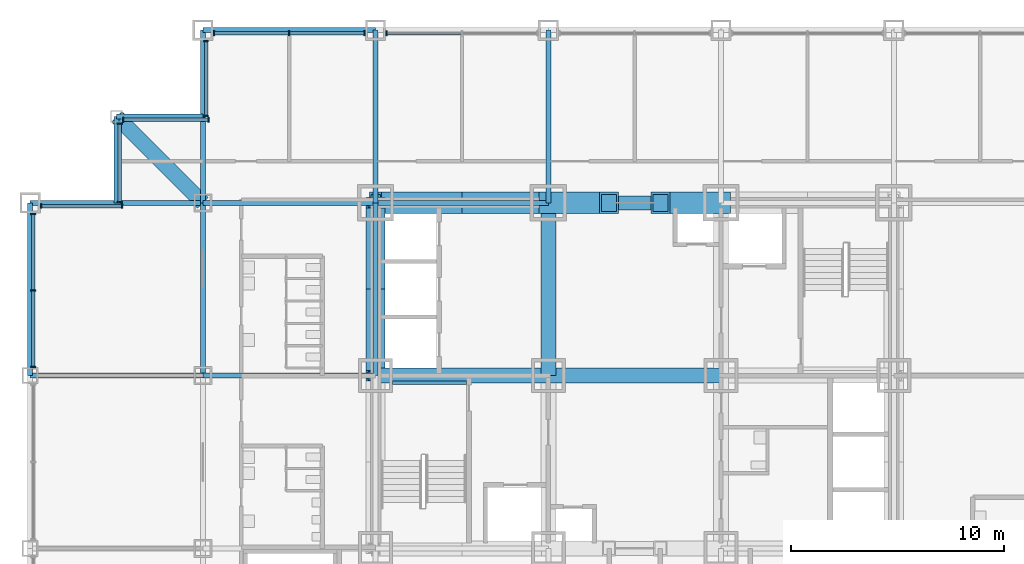
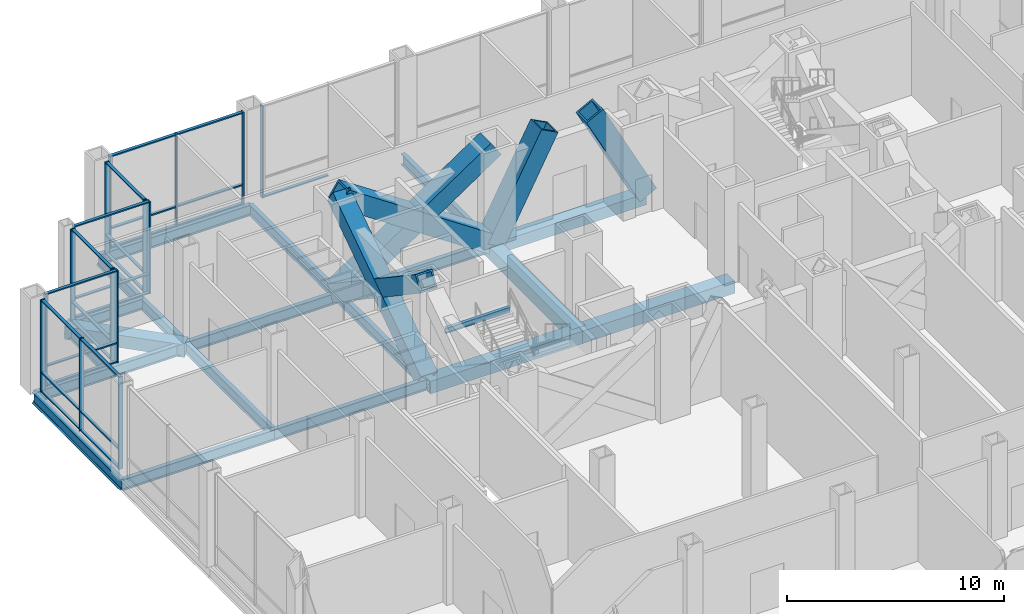
# One storey, part 7 of 18: 46 members, 20 beams, 7 elements without a shape of their own.
"""IFC4 building model written with IfcOpenShell, lengths in metres."""

from ifc_helpers import new_model, si_unit, direction, frame, origin, origin_2d, place, context, subcontext, project, spatial, rectangle, hollow_rectangle, i_section, extrude, material, material_profile, profile_set, type_object, element, aggregate, save


model = new_model("IFC4")

# Units and contexts
model_context = context("Model", 3, precision=1e-05, world=origin(), true_north=direction((0.0, 1.0)))
body_context = subcontext(model_context, "Body", "Model", "MODEL_VIEW")
ifc_project = project(units=[si_unit("LENGTHUNIT", "METRE"), si_unit("AREAUNIT", "SQUARE_METRE"), si_unit("VOLUMEUNIT", "CUBIC_METRE"), si_unit("PLANEANGLEUNIT", "RADIAN"), si_unit("MASSUNIT", "GRAM", prefix="KILO")], contexts=[model_context])

# Site, building, storey
site_placement = place(None, origin())
site = spatial("IfcSite", under=ifc_project, at=site_placement, CompositionType="ELEMENT")
building_placement = place(site_placement, origin())
building = spatial("IfcBuilding", under=site, at=building_placement, Name="Kopane Lantern Tower", CompositionType="ELEMENT")
storey_placement = place(building_placement, frame((0.0, 0.0, 22.199951171875)))
storey = spatial("IfcBuildingStorey", under=building, at=storey_placement, Name="L04", CompositionType="ELEMENT", Elevation=22.199951171875)

# Members
ifc_material_1 = material(Name="Steel S355JR", Category="steel")
ifc_material_profile_1 = material_profile(ifc_material_1, hollow_rectangle(XDim=1.0, YDim=1.0, WallThickness=0.10009765625, at=origin_2d()), Name="BOX 1000x1000x100")
ifc_profile_set_1 = profile_set([ifc_material_profile_1], Name="Steel S355JR")
member_type_1 = type_object("IfcMemberType", Name="BRACE BOX 1000x1000x100", PredefinedType="BRACE", material=ifc_profile_set_1)
for number, where, z_axis, x_axis, name in (
    (1, (16.199951171875, 40.5, -0.25), (0.830159256911, 0.0, 0.557526329571), (0.0, 1.0, 0.0), "Core brace L04"),
    (2, (24.300048828125, 40.5, -0.25), (-0.830159256911, 0.0, 0.557526329571), (0.0, -1.0, 0.0), "Core brace L04"),
):
    element("IfcMember", number, at=place(storey_placement, frame(where, z_axis=z_axis, x_axis=x_axis)), inside=storey, type_object=member_type_1, Name=name, PredefinedType="BRACE", context=body_context, shape_type="SweptSolid", body=[
        extrude(hollow_rectangle(XDim=1.0, YDim=1.0, WallThickness=0.10009765625, at=origin_2d()), origin(), (0.0, 0.0, 1.0), 9.75732421875),
    ])
for number, where, z_axis, x_axis, name in (
    (3, (24.300048828125, 40.5, -0.25), (0.464053044063, 0.0, 0.885807412645), (0.0, 1.0, 0.0), "Core brace L04"),
    (4, (32.39990234375, 40.5, -0.25), (-0.464053044063, 0.0, 0.885807412645), (0.0, -1.0, 0.0), "Core brace L04"),
):
    element("IfcMember", number, at=place(storey_placement, frame(where, z_axis=z_axis, x_axis=x_axis)), inside=storey, type_object=member_type_1, Name=name, PredefinedType="BRACE", context=body_context, shape_type="SweptSolid", body=[
        extrude(hollow_rectangle(XDim=1.0, YDim=1.0, WallThickness=0.10009765625, at=origin_2d()), origin(), (0.0, 0.0, 1.0), 6.14111328125),
    ])
ifc_material_2 = material(Name="Steel S355JR", Category="steel")
ifc_material_profile_2 = material_profile(ifc_material_2, hollow_rectangle(XDim=0.89990234375, YDim=0.89990234375, WallThickness=0.090087890625, at=origin_2d()), Name="BOX 900x900x90")
ifc_profile_set_2 = profile_set([ifc_material_profile_2], Name="Steel S355JR")
member_type_2 = type_object("IfcMemberType", Name="BRACE BOX 900x900x90", PredefinedType="BRACE", material=ifc_profile_set_2)
for number, where, z_axis, x_axis, name in (
    (5, (16.199951171875, 32.39990234375, -0.25), (0.0, 0.830159256911, 0.557526329571), (-1.0, 0.0, 0.0), "Core brace L04"),
    (6, (16.199951171875, 40.5, -0.25), (0.0, -0.830159256911, 0.557526329571), (1.0, 0.0, 0.0), "Core brace L04"),
):
    element("IfcMember", number, at=place(storey_placement, frame(where, z_axis=z_axis, x_axis=x_axis)), inside=storey, type_object=member_type_2, Name=name, PredefinedType="BRACE", context=body_context, shape_type="SweptSolid", body=[
        extrude(hollow_rectangle(XDim=0.89990234375, YDim=0.89990234375, WallThickness=0.090087890625, at=origin_2d()), origin(), (0.0, 0.0, 1.0), 9.75732421875),
    ])

# Beams
ifc_material_3 = material(Name="Steel S355JR", Category="steel")
ifc_material_profile_3 = material_profile(ifc_material_3, hollow_rectangle(XDim=0.699951171875, YDim=0.699951171875, WallThickness=0.06005859375, at=origin_2d()), Name="BOX 700x700x60")
ifc_profile_set_3 = profile_set([ifc_material_profile_3], Name="Steel S355JR")
beam_type_1 = type_object("IfcBeamType", Name="CORE BEAM BOX 700x700x60", PredefinedType="BEAM", material=ifc_profile_set_3)
for number, where, z_axis, x_axis, name in (
    (7, (16.199951171875, 32.39990234375, -0.599853515625), (1.0, 0.0, 0.0), (0.0, 1.0, 0.0), "Core Beam L04"),
    (8, (24.300048828125, 32.39990234375, -0.599853515625), (0.0, 1.0, 0.0), (-1.0, 0.0, 0.0), "Core Beam L04"),
):
    element("IfcBeam", number, at=place(storey_placement, frame(where, z_axis=z_axis, x_axis=x_axis)), inside=storey, type_object=beam_type_1, Name=name, PredefinedType="BEAM", context=body_context, shape_type="SweptSolid", body=[
        extrude(hollow_rectangle(XDim=0.699951171875, YDim=0.699951171875, WallThickness=0.06005859375, at=origin_2d()), origin(), (0.0, 0.0, 1.0), 8.10009765625),
    ])
beam_1_placement = place(storey_placement, frame((24.300048828125, 32.39990234375, -0.599853515625), z_axis=(1.0, 0.0, 0.0), x_axis=(0.0, 1.0, 0.0)))
element("IfcBeam", 9, at=beam_1_placement, inside=storey, type_object=beam_type_1, Name="Core Beam L04", PredefinedType="BEAM", context=body_context, shape_type="SweptSolid", body=[
    extrude(hollow_rectangle(XDim=0.699951171875, YDim=0.699951171875, WallThickness=0.06005859375, at=origin_2d()), origin(), (0.0, 0.0, 1.0), 8.099853515625),
])
ifc_material_4 = material(Name="Steel S355JR", Category="steel")
ifc_material_profile_4 = material_profile(ifc_material_4, hollow_rectangle(XDim=0.699951171875, YDim=0.699951171875, WallThickness=0.06005859375, at=origin_2d()), Name="BOX 700x700x60")
ifc_profile_set_4 = profile_set([ifc_material_profile_4], Name="Steel S355JR")
beam_type_2 = type_object("IfcBeamType", Name="CORNER TIE BEAM BOX 700x700x60", PredefinedType="BEAM", material=ifc_profile_set_4)
beam_2_placement = place(storey_placement, frame((4.050048828125, 44.550048828125, -0.599853515625), z_axis=(0.707106781187, -0.707106781187, 0.0), x_axis=(0.707106781187, 0.707106781187, 0.0)))
element("IfcBeam", 10, at=beam_2_placement, inside=storey, type_object=beam_type_2, Name="Corner Tie Beam L04", PredefinedType="BEAM", context=body_context, shape_type="SweptSolid", body=[
    extrude(hollow_rectangle(XDim=0.699951171875, YDim=0.699951171875, WallThickness=0.06005859375, at=origin_2d()), origin(), (0.0, 0.0, 1.0), 5.7275390625),
])
ifc_material_5 = material(Name="Steel S355JR", Category="steel")
ifc_material_profile_5 = material_profile(ifc_material_5, i_section(OverallWidth=0.22900390625, OverallDepth=0.6123046875, WebThickness=0.011962890625, FlangeThickness=0.01953125, FilletRadius=0.0126953125, at=origin_2d()), Name="UB 610x229x125")
ifc_profile_set_5 = profile_set([ifc_material_profile_5], Name="Steel S355JR")
beam_type_3 = type_object("IfcBeamType", Name="EDGE BEAM UB 610x229x125", PredefinedType="BEAM", material=ifc_profile_set_5)
for number, where, z_axis, x_axis, name in (
    (11, (4.050048828125, 44.550048828125, -0.55615234375), (0.0, -1.0, 0.0), (1.0, 0.0, 0.0), "Edge Beam L04"),
    (12, (4.050048828125, 44.550048828125, -0.55615234375), (1.0, 0.0, 0.0), (0.0, 1.0, 0.0), "Edge Beam L04"),
):
    element("IfcBeam", number, at=place(storey_placement, frame(where, z_axis=z_axis, x_axis=x_axis)), inside=storey, type_object=beam_type_3, Name=name, PredefinedType="BEAM", context=body_context, shape_type="SweptSolid", body=[
        extrude(i_section(OverallWidth=0.22900390625, OverallDepth=0.6123046875, WebThickness=0.011962890625, FlangeThickness=0.01953125, FilletRadius=0.0126953125, at=origin_2d()), origin(), (0.0, 0.0, 1.0), 4.050048828125),
    ])
ifc_material_6 = material(Name="Steel S355JR", Category="steel")
ifc_material_profile_6 = material_profile(ifc_material_6, i_section(OverallWidth=0.22900390625, OverallDepth=0.6123046875, WebThickness=0.011962890625, FlangeThickness=0.01953125, FilletRadius=0.0126953125, at=origin_2d()), Name="UB 610x229x125")
ifc_profile_set_6 = profile_set([ifc_material_profile_6], Name="Steel S355JR")
beam_type_4 = type_object("IfcBeamType", Name="GIRDER UB 610x229x125", PredefinedType="BEAM", material=ifc_profile_set_6)
for number, where, z_axis, x_axis, name in (
    (13, (0.0, 32.39990234375, -0.55615234375), (0.0, 1.0, 0.0), (-1.0, 0.0, 0.0), "Girder L04"),
    (14, (0.0, 32.39990234375, -0.55615234375), (1.0, 0.0, 0.0), (0.0, 1.0, 0.0), "Girder L04"),
    (15, (0.0, 40.5, -0.55615234375), (1.0, 0.0, 0.0), (0.0, 1.0, 0.0), "Girder L04"),
    (16, (8.10009765625, 32.39990234375, -0.55615234375), (0.0, 1.0, 0.0), (-1.0, 0.0, 0.0), "Girder L04"),
):
    element("IfcBeam", number, at=place(storey_placement, frame(where, z_axis=z_axis, x_axis=x_axis)), inside=storey, type_object=beam_type_4, Name=name, PredefinedType="BEAM", context=body_context, shape_type="SweptSolid", body=[
        extrude(i_section(OverallWidth=0.22900390625, OverallDepth=0.6123046875, WebThickness=0.011962890625, FlangeThickness=0.01953125, FilletRadius=0.0126953125, at=origin_2d()), origin(), (0.0, 0.0, 1.0), 8.10009765625),
    ])
beam_3_placement = place(storey_placement, frame((8.10009765625, 32.39990234375, -0.55615234375), z_axis=(1.0, 0.0, 0.0), x_axis=(0.0, 1.0, 0.0)))
element("IfcBeam", 17, at=beam_3_placement, inside=storey, type_object=beam_type_4, Name="Girder L04", PredefinedType="BEAM", context=body_context, shape_type="SweptSolid", body=[
    extrude(i_section(OverallWidth=0.22900390625, OverallDepth=0.6123046875, WebThickness=0.011962890625, FlangeThickness=0.01953125, FilletRadius=0.0126953125, at=origin_2d()), origin(), (0.0, 0.0, 1.0), 8.099853515625),
])
beam_4_placement = place(storey_placement, frame((8.10009765625, 40.5, -0.55615234375), z_axis=(0.0, 1.0, 0.0), x_axis=(-1.0, 0.0, 0.0)))
element("IfcBeam", 18, at=beam_4_placement, inside=storey, type_object=beam_type_4, Name="Girder L04", PredefinedType="BEAM", context=body_context, shape_type="SweptSolid", body=[
    extrude(i_section(OverallWidth=0.22900390625, OverallDepth=0.6123046875, WebThickness=0.011962890625, FlangeThickness=0.01953125, FilletRadius=0.0126953125, at=origin_2d()), origin(), (0.0, 0.0, 1.0), 8.10009765625),
])
for number, where, z_axis, x_axis, name in (
    (19, (8.10009765625, 40.5, -0.55615234375), (1.0, 0.0, 0.0), (0.0, 1.0, 0.0), "Girder L04"),
    (20, (8.10009765625, 48.60009765625, -0.55615234375), (1.0, 0.0, 0.0), (0.0, 1.0, 0.0), "Girder L04"),
):
    element("IfcBeam", number, at=place(storey_placement, frame(where, z_axis=z_axis, x_axis=x_axis)), inside=storey, type_object=beam_type_4, Name=name, PredefinedType="BEAM", context=body_context, shape_type="SweptSolid", body=[
        extrude(i_section(OverallWidth=0.22900390625, OverallDepth=0.6123046875, WebThickness=0.011962890625, FlangeThickness=0.01953125, FilletRadius=0.0126953125, at=origin_2d()), origin(), (0.0, 0.0, 1.0), 8.099853515625),
    ])
for number, where, z_axis, x_axis, name in (
    (21, (16.199951171875, 32.39990234375, -0.55615234375), (0.0, 1.0, 0.0), (-1.0, 0.0, 0.0), "Girder L04"),
    (22, (16.199951171875, 40.5, -0.55615234375), (0.0, 1.0, 0.0), (-1.0, 0.0, 0.0), "Girder L04"),
    (23, (16.199951171875, 40.5, -0.55615234375), (1.0, 0.0, 0.0), (0.0, 1.0, 0.0), "Girder L04"),
    (24, (24.300048828125, 40.5, -0.55615234375), (0.0, 1.0, 0.0), (-1.0, 0.0, 0.0), "Girder L04"),
):
    element("IfcBeam", number, at=place(storey_placement, frame(where, z_axis=z_axis, x_axis=x_axis)), inside=storey, type_object=beam_type_4, Name=name, PredefinedType="BEAM", context=body_context, shape_type="SweptSolid", body=[
        extrude(i_section(OverallWidth=0.22900390625, OverallDepth=0.6123046875, WebThickness=0.011962890625, FlangeThickness=0.01953125, FilletRadius=0.0126953125, at=origin_2d()), origin(), (0.0, 0.0, 1.0), 8.10009765625),
    ])
ifc_material_7 = material(Name="Steel S355JR", Category="steel")
ifc_material_profile_7 = material_profile(ifc_material_7, hollow_rectangle(XDim=0.64990234375, YDim=0.64990234375, WallThickness=0.070068359375, at=origin_2d()), Name="BOX 650x650x70")
ifc_profile_set_7 = profile_set([ifc_material_profile_7], Name="Steel S355JR")
beam_type_5 = type_object("IfcBeamType", Name="LINK BEAM BOX 650x650x70", PredefinedType="BEAM", material=ifc_profile_set_7)
beam_5_placement = place(storey_placement, frame((24.300048828125, 40.5, -0.574951171875), z_axis=(1.0, 0.0, 0.0), x_axis=(0.0, 1.0, 0.0)))
element("IfcBeam", 25, at=beam_5_placement, inside=storey, type_object=beam_type_5, Name="Link Beam L04", PredefinedType="BEAM", context=body_context, shape_type="SweptSolid", body=[
    extrude(hollow_rectangle(XDim=0.64990234375, YDim=0.64990234375, WallThickness=0.070068359375, at=origin_2d()), origin(), (0.0, 0.0, 1.0), 8.099853515625),
])

# Curtain wall, member
ifc_material_8 = material(Name="Aluminium and clear glass", Category="aluminium")
curtain_wall_type = type_object("IfcCurtainWallType", Name="CURTAIN WALL CW3 SKY LOBBY", PredefinedType="USERDEFINED", material=ifc_material_8)
curtain_wall_1_placement = place(storey_placement, origin())
curtain_wall_1 = element("IfcCurtainWall", 26, at=curtain_wall_1_placement, inside=storey, type_object=curtain_wall_type, Name="Curtain wall CW3 N L04", ObjectType="CURTAIN WALL", PredefinedType="USERDEFINED")
ifc_material_9 = material(Name="Aluminium", Category="aluminium")
ifc_material_profile_8 = material_profile(ifc_material_9, rectangle(XDim=0.070068359375, YDim=0.22509765625, at=origin_2d()), Name="AL 70x225")
ifc_profile_set_8 = profile_set([ifc_material_profile_8], Name="Aluminium")
member_type_3 = type_object("IfcMemberType", Name="MULLION CW3-M 70x225", PredefinedType="MULLION", material=ifc_profile_set_8)
member_1_placement = place(storey_placement, frame((16.715087890625, 48.449951171875, 0.0), z_axis=(0.0, 0.0, 1.0), x_axis=(-1.0, 0.0, 0.0)))
member_1 = element("IfcMember", 27, at=member_1_placement, type_object=member_type_3, Name="CW3 mullion 3", PredefinedType="MULLION", context=body_context, shape_type="SweptSolid", body=[
    extrude(rectangle(XDim=0.070068359375, YDim=0.22509765625, at=origin_2d()), origin(), (0.0, 0.0, 1.0), 5.18994140625),
])

# Curtain wall, members
curtain_wall_2_placement = place(storey_placement, origin())
curtain_wall_2 = element("IfcCurtainWall", 28, at=curtain_wall_2_placement, inside=storey, type_object=curtain_wall_type, Name="Curtain wall CW3 N L04", ObjectType="CURTAIN WALL", PredefinedType="USERDEFINED")
member_2_placement = place(storey_placement, frame((15.68505859375, 48.449951171875, 0.0), z_axis=(0.0, 0.0, 1.0), x_axis=(-1.0, 0.0, 0.0)))
member_2 = element("IfcMember", 29, at=member_2_placement, type_object=member_type_3, Name="CW3 mullion 1", PredefinedType="MULLION", context=body_context, shape_type="SweptSolid", body=[
    extrude(rectangle(XDim=0.070068359375, YDim=0.22509765625, at=origin_2d()), origin(), (0.0, 0.0, 1.0), 5.18994140625),
])
member_3_placement = place(storey_placement, frame((12.14990234375, 48.449951171875, 0.0), z_axis=(0.0, 0.0, 1.0), x_axis=(-1.0, 0.0, 0.0)))
member_3 = element("IfcMember", 30, at=member_3_placement, type_object=member_type_3, Name="CW3 mullion 2", PredefinedType="MULLION", context=body_context, shape_type="SweptSolid", body=[
    extrude(rectangle(XDim=0.070068359375, YDim=0.22509765625, at=origin_2d()), origin(), (0.0, 0.0, 1.0), 5.18994140625),
])
member_4_placement = place(storey_placement, frame((8.614990234375, 48.449951171875, 0.0), z_axis=(0.0, 0.0, 1.0), x_axis=(-1.0, 0.0, 0.0)))
member_4 = element("IfcMember", 31, at=member_4_placement, type_object=member_type_3, Name="CW3 mullion 3", PredefinedType="MULLION", context=body_context, shape_type="SweptSolid", body=[
    extrude(rectangle(XDim=0.070068359375, YDim=0.22509765625, at=origin_2d()), origin(), (0.0, 0.0, 1.0), 5.18994140625),
])

curtain_wall_3_placement = place(storey_placement, origin())
curtain_wall_3 = element("IfcCurtainWall", 32, at=curtain_wall_3_placement, inside=storey, type_object=curtain_wall_type, Name="Curtain wall CW3 W L04", ObjectType="CURTAIN WALL", PredefinedType="USERDEFINED")
member_5_placement = place(storey_placement, frame((8.25, 48.0849609375, 0.0), z_axis=(0.0, 0.0, 1.0), x_axis=(0.0, -1.0, 0.0)))
member_5 = element("IfcMember", 33, at=member_5_placement, type_object=member_type_3, Name="CW3 mullion 1", PredefinedType="MULLION", context=body_context, shape_type="SweptSolid", body=[
    extrude(rectangle(XDim=0.070068359375, YDim=0.22509765625, at=origin_2d()), origin(), (0.0, 0.0, 1.0), 5.18994140625),
])
member_6_placement = place(storey_placement, frame((8.25, 44.5849609375, 0.0), z_axis=(0.0, 0.0, 1.0), x_axis=(0.0, -1.0, 0.0)))
member_6 = element("IfcMember", 34, at=member_6_placement, type_object=member_type_3, Name="CW3 mullion 2", PredefinedType="MULLION", context=body_context, shape_type="SweptSolid", body=[
    extrude(rectangle(XDim=0.070068359375, YDim=0.22509765625, at=origin_2d()), origin(), (0.0, 0.0, 1.0), 5.18994140625),
])

curtain_wall_4_placement = place(storey_placement, origin())
curtain_wall_4 = element("IfcCurtainWall", 35, at=curtain_wall_4_placement, inside=storey, type_object=curtain_wall_type, Name="Curtain wall CW3 N L04", ObjectType="CURTAIN WALL", PredefinedType="USERDEFINED")
member_7_placement = place(storey_placement, frame((8.364990234375, 44.39990234375, 0.0), z_axis=(0.0, 0.0, 1.0), x_axis=(-1.0, 0.0, 0.0)))
member_7 = element("IfcMember", 36, at=member_7_placement, type_object=member_type_3, Name="CW3 mullion 1", PredefinedType="MULLION", context=body_context, shape_type="SweptSolid", body=[
    extrude(rectangle(XDim=0.070068359375, YDim=0.22509765625, at=origin_2d()), origin(), (0.0, 0.0, 1.0), 5.18994140625),
])
member_8_placement = place(storey_placement, frame((4.364990234375, 44.39990234375, 0.0), z_axis=(0.0, 0.0, 1.0), x_axis=(-1.0, 0.0, 0.0)))
member_8 = element("IfcMember", 37, at=member_8_placement, type_object=member_type_3, Name="CW3 mullion 2", PredefinedType="MULLION", context=body_context, shape_type="SweptSolid", body=[
    extrude(rectangle(XDim=0.070068359375, YDim=0.22509765625, at=origin_2d()), origin(), (0.0, 0.0, 1.0), 5.18994140625),
])

curtain_wall_5_placement = place(storey_placement, origin())
curtain_wall_5 = element("IfcCurtainWall", 38, at=curtain_wall_5_placement, inside=storey, type_object=curtain_wall_type, Name="Curtain wall CW3 W L04", ObjectType="CURTAIN WALL", PredefinedType="USERDEFINED")
member_9_placement = place(storey_placement, frame((4.199951171875, 44.215087890625, 0.0), z_axis=(0.0, 0.0, 1.0), x_axis=(0.0, -1.0, 0.0)))
member_9 = element("IfcMember", 39, at=member_9_placement, type_object=member_type_3, Name="CW3 mullion 1", PredefinedType="MULLION", context=body_context, shape_type="SweptSolid", body=[
    extrude(rectangle(XDim=0.070068359375, YDim=0.22509765625, at=origin_2d()), origin(), (0.0, 0.0, 1.0), 5.18994140625),
])
member_10_placement = place(storey_placement, frame((4.199951171875, 40.534912109375, 0.0), z_axis=(0.0, 0.0, 1.0), x_axis=(0.0, -1.0, 0.0)))
member_10 = element("IfcMember", 40, at=member_10_placement, type_object=member_type_3, Name="CW3 mullion 2", PredefinedType="MULLION", context=body_context, shape_type="SweptSolid", body=[
    extrude(rectangle(XDim=0.070068359375, YDim=0.22509765625, at=origin_2d()), origin(), (0.0, 0.0, 1.0), 5.18994140625),
])

curtain_wall_6_placement = place(storey_placement, origin())
curtain_wall_6 = element("IfcCurtainWall", 41, at=curtain_wall_6_placement, inside=storey, type_object=curtain_wall_type, Name="Curtain wall CW3 N L04", ObjectType="CURTAIN WALL", PredefinedType="USERDEFINED")
member_11_placement = place(storey_placement, frame((4.31494140625, 40.35009765625, 0.0), z_axis=(0.0, 0.0, 1.0), x_axis=(-1.0, 0.0, 0.0)))
member_11 = element("IfcMember", 42, at=member_11_placement, type_object=member_type_3, Name="CW3 mullion 1", PredefinedType="MULLION", context=body_context, shape_type="SweptSolid", body=[
    extrude(rectangle(XDim=0.070068359375, YDim=0.22509765625, at=origin_2d()), origin(), (0.0, 0.0, 1.0), 5.18994140625),
])
member_12_placement = place(storey_placement, frame((0.514892578125, 40.35009765625, 0.0), z_axis=(0.0, 0.0, 1.0), x_axis=(-1.0, 0.0, 0.0)))
member_12 = element("IfcMember", 43, at=member_12_placement, type_object=member_type_3, Name="CW3 mullion 2", PredefinedType="MULLION", context=body_context, shape_type="SweptSolid", body=[
    extrude(rectangle(XDim=0.070068359375, YDim=0.22509765625, at=origin_2d()), origin(), (0.0, 0.0, 1.0), 5.18994140625),
])

curtain_wall_7_placement = place(storey_placement, origin())
curtain_wall_7 = element("IfcCurtainWall", 44, at=curtain_wall_7_placement, inside=storey, type_object=curtain_wall_type, Name="Curtain wall CW3 W L04", ObjectType="CURTAIN WALL", PredefinedType="USERDEFINED")
member_13_placement = place(storey_placement, frame((0.14990234375, 39.985107421875, 0.0), z_axis=(0.0, 0.0, 1.0), x_axis=(0.0, -1.0, 0.0)))
member_13 = element("IfcMember", 45, at=member_13_placement, type_object=member_type_3, Name="CW3 mullion 1", PredefinedType="MULLION", context=body_context, shape_type="SweptSolid", body=[
    extrude(rectangle(XDim=0.070068359375, YDim=0.22509765625, at=origin_2d()), origin(), (0.0, 0.0, 1.0), 5.18994140625),
])
member_14_placement = place(storey_placement, frame((0.14990234375, 36.39990234375, 0.0), z_axis=(0.0, 0.0, 1.0), x_axis=(0.0, -1.0, 0.0)))
member_14 = element("IfcMember", 46, at=member_14_placement, type_object=member_type_3, Name="CW3 mullion 2", PredefinedType="MULLION", context=body_context, shape_type="SweptSolid", body=[
    extrude(rectangle(XDim=0.070068359375, YDim=0.22509765625, at=origin_2d()), origin(), (0.0, 0.0, 1.0), 5.18994140625),
])
member_15_placement = place(storey_placement, frame((0.14990234375, 32.81494140625, 0.0), z_axis=(0.0, 0.0, 1.0), x_axis=(0.0, -1.0, 0.0)))
member_15 = element("IfcMember", 47, at=member_15_placement, type_object=member_type_3, Name="CW3 mullion 3", PredefinedType="MULLION", context=body_context, shape_type="SweptSolid", body=[
    extrude(rectangle(XDim=0.070068359375, YDim=0.22509765625, at=origin_2d()), origin(), (0.0, 0.0, 1.0), 5.18994140625),
])

# Beam
ifc_material_10 = material(Name="Steel S355JR", Category="steel")
ifc_material_profile_9 = material_profile(ifc_material_10, i_section(OverallWidth=0.1650390625, OverallDepth=0.303466796875, WebThickness=0.006103515625, FlangeThickness=0.01025390625, FilletRadius=0.0087890625, at=origin_2d()), Name="UB 305x165x40")
ifc_profile_set_9 = profile_set([ifc_material_profile_9], Name="Steel S355JR")
beam_type_6 = type_object("IfcBeamType", Name="STAIR LANDING BEAM UB 305x165x40", PredefinedType="BEAM", material=ifc_profile_set_9)
beam_6_placement = place(storey_placement, frame((17.0, 32.0673828125, 2.348388671875), z_axis=(1.0, 0.0, 0.0), x_axis=(0.0, 1.0, 0.0)))
element("IfcBeam", 48, at=beam_6_placement, inside=storey, type_object=beam_type_6, Name="Stair landing beam ST1 L04", PredefinedType="BEAM", context=body_context, shape_type="SweptSolid", body=[
    extrude(i_section(OverallWidth=0.1650390625, OverallDepth=0.303466796875, WebThickness=0.006103515625, FlangeThickness=0.01025390625, FilletRadius=0.0087890625, at=origin_2d()), origin(), (0.0, 0.0, 1.0), 3.449951171875),
])

# Member
ifc_material_11 = material(Name="Aluminium", Category="aluminium")
ifc_material_profile_10 = material_profile(ifc_material_11, rectangle(XDim=0.159912109375, YDim=0.070068359375, at=origin_2d()), Name="AL 160x70")
ifc_profile_set_10 = profile_set([ifc_material_profile_10], Name="Aluminium")
member_type_4 = type_object("IfcMemberType", Name="TRANSOM CW3-T 70x160", PredefinedType="USERDEFINED", material=ifc_profile_set_10)
member_16_placement = place(storey_placement, frame((20.215087890625, 48.449951171875, 0.03515625), z_axis=(-1.0, 0.0, 0.0), x_axis=(0.0, -1.0, 0.0)))
member_16 = element("IfcMember", 49, at=member_16_placement, type_object=member_type_4, Name="CW3 transom 2.1", ObjectType="TRANSOM", PredefinedType="USERDEFINED", context=body_context, shape_type="SweptSolid", body=[
    extrude(rectangle(XDim=0.159912109375, YDim=0.070068359375, at=origin_2d()), origin(), (0.0, 0.0, 1.0), 3.465087890625),
])

aggregate(curtain_wall_1, [member_1, member_16])

member_17_placement = place(storey_placement, frame((15.64990234375, 48.449951171875, 0.03515625), z_axis=(-1.0, 0.0, 0.0), x_axis=(0.0, -1.0, 0.0)))
member_17 = element("IfcMember", 50, at=member_17_placement, type_object=member_type_4, Name="CW3 transom 1.1", ObjectType="TRANSOM", PredefinedType="USERDEFINED", context=body_context, shape_type="SweptSolid", body=[
    extrude(rectangle(XDim=0.159912109375, YDim=0.070068359375, at=origin_2d()), origin(), (0.0, 0.0, 1.0), 3.46484375),
])

member_18_placement = place(storey_placement, frame((15.64990234375, 48.449951171875, 1.10009765625), z_axis=(-1.0, 0.0, 0.0), x_axis=(0.0, -1.0, 0.0)))
member_18 = element("IfcMember", 51, at=member_18_placement, type_object=member_type_4, Name="CW3 transom 1.2", ObjectType="TRANSOM", PredefinedType="USERDEFINED", context=body_context, shape_type="SweptSolid", body=[
    extrude(rectangle(XDim=0.159912109375, YDim=0.070068359375, at=origin_2d()), origin(), (0.0, 0.0, 1.0), 3.46484375),
])

member_19_placement = place(storey_placement, frame((15.64990234375, 48.449951171875, 5.155029296875), z_axis=(-1.0, 0.0, 0.0), x_axis=(0.0, -1.0, 0.0)))
member_19 = element("IfcMember", 52, at=member_19_placement, type_object=member_type_4, Name="CW3 transom 1.3", ObjectType="TRANSOM", PredefinedType="USERDEFINED", context=body_context, shape_type="SweptSolid", body=[
    extrude(rectangle(XDim=0.159912109375, YDim=0.070068359375, at=origin_2d()), origin(), (0.0, 0.0, 1.0), 3.46484375),
])

member_20_placement = place(storey_placement, frame((12.114990234375, 48.449951171875, 0.03515625), z_axis=(-1.0, 0.0, 0.0), x_axis=(0.0, -1.0, 0.0)))
member_20 = element("IfcMember", 53, at=member_20_placement, type_object=member_type_4, Name="CW3 transom 2.1", ObjectType="TRANSOM", PredefinedType="USERDEFINED", context=body_context, shape_type="SweptSolid", body=[
    extrude(rectangle(XDim=0.159912109375, YDim=0.070068359375, at=origin_2d()), origin(), (0.0, 0.0, 1.0), 3.465087890625),
])

member_21_placement = place(storey_placement, frame((12.114990234375, 48.449951171875, 1.10009765625), z_axis=(-1.0, 0.0, 0.0), x_axis=(0.0, -1.0, 0.0)))
member_21 = element("IfcMember", 54, at=member_21_placement, type_object=member_type_4, Name="CW3 transom 2.2", ObjectType="TRANSOM", PredefinedType="USERDEFINED", context=body_context, shape_type="SweptSolid", body=[
    extrude(rectangle(XDim=0.159912109375, YDim=0.070068359375, at=origin_2d()), origin(), (0.0, 0.0, 1.0), 3.465087890625),
])

member_22_placement = place(storey_placement, frame((12.114990234375, 48.449951171875, 5.155029296875), z_axis=(-1.0, 0.0, 0.0), x_axis=(0.0, -1.0, 0.0)))
member_22 = element("IfcMember", 55, at=member_22_placement, type_object=member_type_4, Name="CW3 transom 2.3", ObjectType="TRANSOM", PredefinedType="USERDEFINED", context=body_context, shape_type="SweptSolid", body=[
    extrude(rectangle(XDim=0.159912109375, YDim=0.070068359375, at=origin_2d()), origin(), (0.0, 0.0, 1.0), 3.465087890625),
])

aggregate(curtain_wall_2, [member_2, member_3, member_4, member_17, member_18, member_19, member_20, member_21, member_22])

member_23_placement = place(storey_placement, frame((8.25, 48.050048828125, 0.03515625), z_axis=(0.0, -1.0, 0.0), x_axis=(1.0, 0.0, 0.0)))
member_23 = element("IfcMember", 56, at=member_23_placement, type_object=member_type_4, Name="CW3 transom 1.1", ObjectType="TRANSOM", PredefinedType="USERDEFINED", context=body_context, shape_type="SweptSolid", body=[
    extrude(rectangle(XDim=0.159912109375, YDim=0.070068359375, at=origin_2d()), origin(), (0.0, 0.0, 1.0), 3.429931640625),
])

member_24_placement = place(storey_placement, frame((8.25, 48.050048828125, 1.10009765625), z_axis=(0.0, -1.0, 0.0), x_axis=(1.0, 0.0, 0.0)))
member_24 = element("IfcMember", 57, at=member_24_placement, type_object=member_type_4, Name="CW3 transom 1.2", ObjectType="TRANSOM", PredefinedType="USERDEFINED", context=body_context, shape_type="SweptSolid", body=[
    extrude(rectangle(XDim=0.159912109375, YDim=0.070068359375, at=origin_2d()), origin(), (0.0, 0.0, 1.0), 3.429931640625),
])

member_25_placement = place(storey_placement, frame((8.25, 48.050048828125, 5.155029296875), z_axis=(0.0, -1.0, 0.0), x_axis=(1.0, 0.0, 0.0)))
member_25 = element("IfcMember", 58, at=member_25_placement, type_object=member_type_4, Name="CW3 transom 1.3", ObjectType="TRANSOM", PredefinedType="USERDEFINED", context=body_context, shape_type="SweptSolid", body=[
    extrude(rectangle(XDim=0.159912109375, YDim=0.070068359375, at=origin_2d()), origin(), (0.0, 0.0, 1.0), 3.429931640625),
])

aggregate(curtain_wall_3, [member_5, member_6, member_23, member_24, member_25])

member_26_placement = place(storey_placement, frame((8.330078125, 44.39990234375, 0.03515625), z_axis=(-1.0, 0.0, 0.0), x_axis=(0.0, -1.0, 0.0)))
member_26 = element("IfcMember", 59, at=member_26_placement, type_object=member_type_4, Name="CW3 transom 1.1", ObjectType="TRANSOM", PredefinedType="USERDEFINED", context=body_context, shape_type="SweptSolid", body=[
    extrude(rectangle(XDim=0.159912109375, YDim=0.070068359375, at=origin_2d()), origin(), (0.0, 0.0, 1.0), 3.93017578125),
])

member_27_placement = place(storey_placement, frame((8.330078125, 44.39990234375, 1.10009765625), z_axis=(-1.0, 0.0, 0.0), x_axis=(0.0, -1.0, 0.0)))
member_27 = element("IfcMember", 60, at=member_27_placement, type_object=member_type_4, Name="CW3 transom 1.2", ObjectType="TRANSOM", PredefinedType="USERDEFINED", context=body_context, shape_type="SweptSolid", body=[
    extrude(rectangle(XDim=0.159912109375, YDim=0.070068359375, at=origin_2d()), origin(), (0.0, 0.0, 1.0), 3.93017578125),
])

member_28_placement = place(storey_placement, frame((8.330078125, 44.39990234375, 5.155029296875), z_axis=(-1.0, 0.0, 0.0), x_axis=(0.0, -1.0, 0.0)))
member_28 = element("IfcMember", 61, at=member_28_placement, type_object=member_type_4, Name="CW3 transom 1.3", ObjectType="TRANSOM", PredefinedType="USERDEFINED", context=body_context, shape_type="SweptSolid", body=[
    extrude(rectangle(XDim=0.159912109375, YDim=0.070068359375, at=origin_2d()), origin(), (0.0, 0.0, 1.0), 3.93017578125),
])

aggregate(curtain_wall_4, [member_7, member_8, member_26, member_27, member_28])

member_29_placement = place(storey_placement, frame((4.199951171875, 44.179931640625, 0.03515625), z_axis=(0.0, -1.0, 0.0), x_axis=(1.0, 0.0, 0.0)))
member_29 = element("IfcMember", 62, at=member_29_placement, type_object=member_type_4, Name="CW3 transom 1.1", ObjectType="TRANSOM", PredefinedType="USERDEFINED", context=body_context, shape_type="SweptSolid", body=[
    extrude(rectangle(XDim=0.159912109375, YDim=0.070068359375, at=origin_2d()), origin(), (0.0, 0.0, 1.0), 3.60986328125),
])

member_30_placement = place(storey_placement, frame((4.199951171875, 44.179931640625, 1.10009765625), z_axis=(0.0, -1.0, 0.0), x_axis=(1.0, 0.0, 0.0)))
member_30 = element("IfcMember", 63, at=member_30_placement, type_object=member_type_4, Name="CW3 transom 1.2", ObjectType="TRANSOM", PredefinedType="USERDEFINED", context=body_context, shape_type="SweptSolid", body=[
    extrude(rectangle(XDim=0.159912109375, YDim=0.070068359375, at=origin_2d()), origin(), (0.0, 0.0, 1.0), 3.60986328125),
])

member_31_placement = place(storey_placement, frame((4.199951171875, 44.179931640625, 5.155029296875), z_axis=(0.0, -1.0, 0.0), x_axis=(1.0, 0.0, 0.0)))
member_31 = element("IfcMember", 64, at=member_31_placement, type_object=member_type_4, Name="CW3 transom 1.3", ObjectType="TRANSOM", PredefinedType="USERDEFINED", context=body_context, shape_type="SweptSolid", body=[
    extrude(rectangle(XDim=0.159912109375, YDim=0.070068359375, at=origin_2d()), origin(), (0.0, 0.0, 1.0), 3.60986328125),
])

aggregate(curtain_wall_5, [member_9, member_10, member_29, member_30, member_31])

member_32_placement = place(storey_placement, frame((4.280029296875, 40.35009765625, 0.03515625), z_axis=(-1.0, 0.0, 0.0), x_axis=(0.0, -1.0, 0.0)))
member_32 = element("IfcMember", 65, at=member_32_placement, type_object=member_type_4, Name="CW3 transom 1.1", ObjectType="TRANSOM", PredefinedType="USERDEFINED", context=body_context, shape_type="SweptSolid", body=[
    extrude(rectangle(XDim=0.159912109375, YDim=0.070068359375, at=origin_2d()), origin(), (0.0, 0.0, 1.0), 3.72998046875),
])

member_33_placement = place(storey_placement, frame((4.280029296875, 40.35009765625, 1.10009765625), z_axis=(-1.0, 0.0, 0.0), x_axis=(0.0, -1.0, 0.0)))
member_33 = element("IfcMember", 66, at=member_33_placement, type_object=member_type_4, Name="CW3 transom 1.2", ObjectType="TRANSOM", PredefinedType="USERDEFINED", context=body_context, shape_type="SweptSolid", body=[
    extrude(rectangle(XDim=0.159912109375, YDim=0.070068359375, at=origin_2d()), origin(), (0.0, 0.0, 1.0), 3.72998046875),
])

member_34_placement = place(storey_placement, frame((4.280029296875, 40.35009765625, 5.155029296875), z_axis=(-1.0, 0.0, 0.0), x_axis=(0.0, -1.0, 0.0)))
member_34 = element("IfcMember", 67, at=member_34_placement, type_object=member_type_4, Name="CW3 transom 1.3", ObjectType="TRANSOM", PredefinedType="USERDEFINED", context=body_context, shape_type="SweptSolid", body=[
    extrude(rectangle(XDim=0.159912109375, YDim=0.070068359375, at=origin_2d()), origin(), (0.0, 0.0, 1.0), 3.72998046875),
])

aggregate(curtain_wall_6, [member_11, member_12, member_32, member_33, member_34])

member_35_placement = place(storey_placement, frame((0.14990234375, 39.949951171875, 0.03515625), z_axis=(0.0, -1.0, 0.0), x_axis=(1.0, 0.0, 0.0)))
member_35 = element("IfcMember", 68, at=member_35_placement, type_object=member_type_4, Name="CW3 transom 1.1", ObjectType="TRANSOM", PredefinedType="USERDEFINED", context=body_context, shape_type="SweptSolid", body=[
    extrude(rectangle(XDim=0.159912109375, YDim=0.070068359375, at=origin_2d()), origin(), (0.0, 0.0, 1.0), 3.514892578125),
])

member_36_placement = place(storey_placement, frame((0.14990234375, 39.949951171875, 1.10009765625), z_axis=(0.0, -1.0, 0.0), x_axis=(1.0, 0.0, 0.0)))
member_36 = element("IfcMember", 69, at=member_36_placement, type_object=member_type_4, Name="CW3 transom 1.2", ObjectType="TRANSOM", PredefinedType="USERDEFINED", context=body_context, shape_type="SweptSolid", body=[
    extrude(rectangle(XDim=0.159912109375, YDim=0.070068359375, at=origin_2d()), origin(), (0.0, 0.0, 1.0), 3.514892578125),
])

member_37_placement = place(storey_placement, frame((0.14990234375, 39.949951171875, 5.155029296875), z_axis=(0.0, -1.0, 0.0), x_axis=(1.0, 0.0, 0.0)))
member_37 = element("IfcMember", 70, at=member_37_placement, type_object=member_type_4, Name="CW3 transom 1.3", ObjectType="TRANSOM", PredefinedType="USERDEFINED", context=body_context, shape_type="SweptSolid", body=[
    extrude(rectangle(XDim=0.159912109375, YDim=0.070068359375, at=origin_2d()), origin(), (0.0, 0.0, 1.0), 3.514892578125),
])

member_38_placement = place(storey_placement, frame((0.14990234375, 36.364990234375, 0.03515625), z_axis=(0.0, -1.0, 0.0), x_axis=(1.0, 0.0, 0.0)))
member_38 = element("IfcMember", 71, at=member_38_placement, type_object=member_type_4, Name="CW3 transom 2.1", ObjectType="TRANSOM", PredefinedType="USERDEFINED", context=body_context, shape_type="SweptSolid", body=[
    extrude(rectangle(XDim=0.159912109375, YDim=0.070068359375, at=origin_2d()), origin(), (0.0, 0.0, 1.0), 3.514892578125),
])

member_39_placement = place(storey_placement, frame((0.14990234375, 36.364990234375, 1.10009765625), z_axis=(0.0, -1.0, 0.0), x_axis=(1.0, 0.0, 0.0)))
member_39 = element("IfcMember", 72, at=member_39_placement, type_object=member_type_4, Name="CW3 transom 2.2", ObjectType="TRANSOM", PredefinedType="USERDEFINED", context=body_context, shape_type="SweptSolid", body=[
    extrude(rectangle(XDim=0.159912109375, YDim=0.070068359375, at=origin_2d()), origin(), (0.0, 0.0, 1.0), 3.514892578125),
])

member_40_placement = place(storey_placement, frame((0.14990234375, 36.364990234375, 5.155029296875), z_axis=(0.0, -1.0, 0.0), x_axis=(1.0, 0.0, 0.0)))
member_40 = element("IfcMember", 73, at=member_40_placement, type_object=member_type_4, Name="CW3 transom 2.3", ObjectType="TRANSOM", PredefinedType="USERDEFINED", context=body_context, shape_type="SweptSolid", body=[
    extrude(rectangle(XDim=0.159912109375, YDim=0.070068359375, at=origin_2d()), origin(), (0.0, 0.0, 1.0), 3.514892578125),
])

aggregate(curtain_wall_7, [member_13, member_14, member_15, member_35, member_36, member_37, member_38, member_39, member_40])

save(model, "model.ifc")
